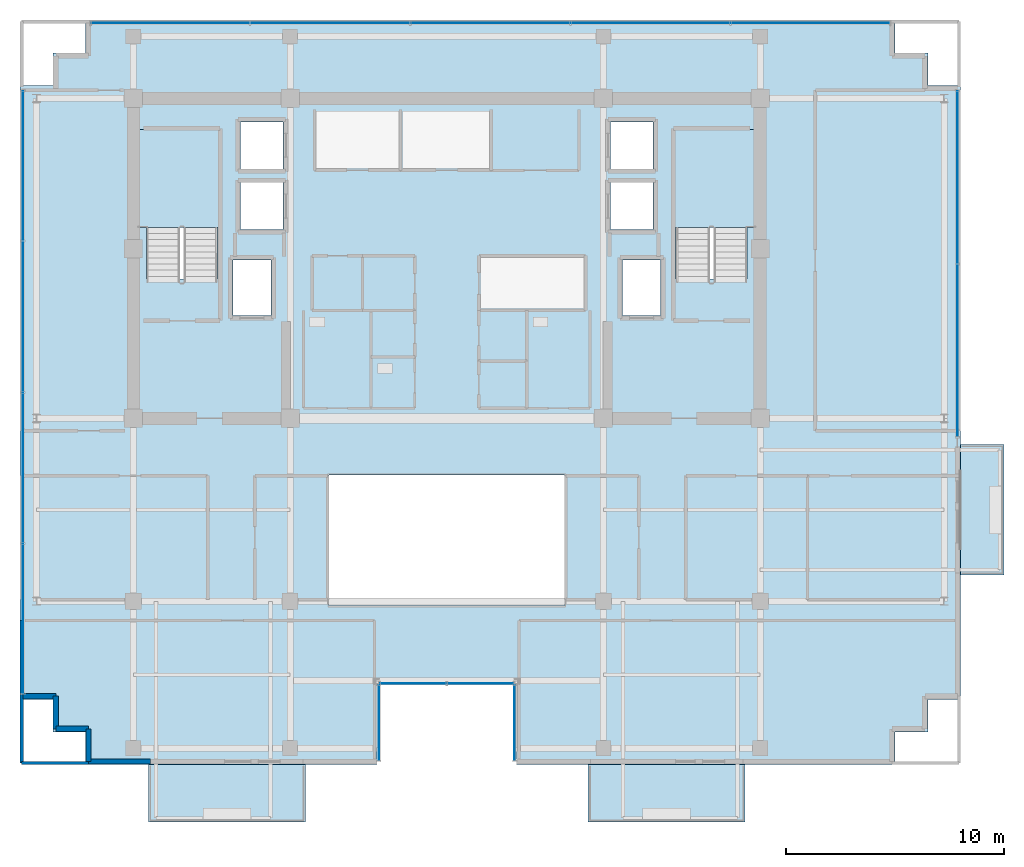
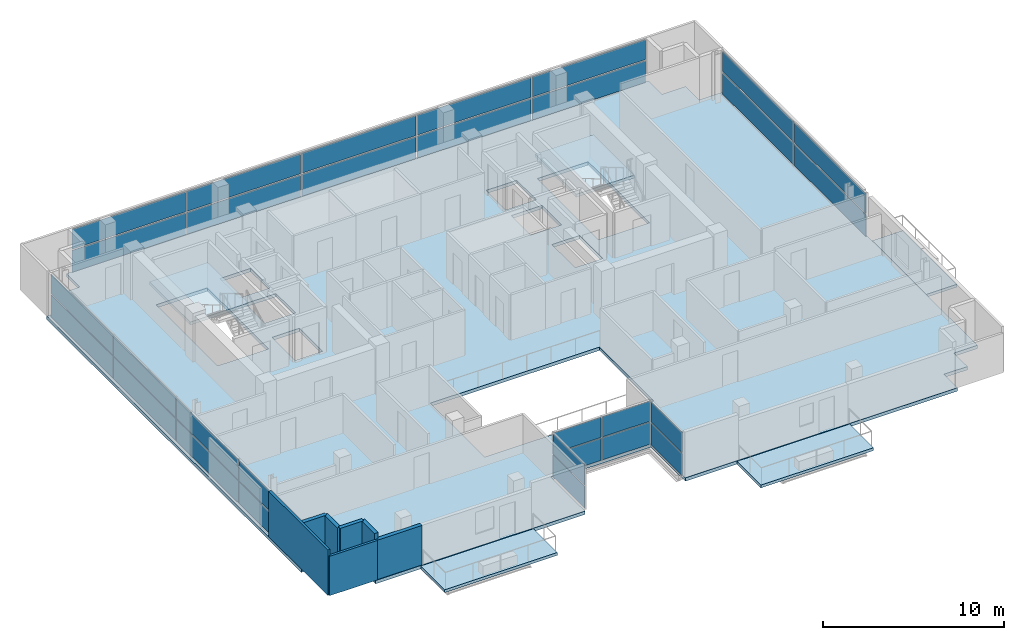
# One storey, part 14 of 22: 30 plates, 7 walls, 6 slabs, 8 elements without a shape of their own.
"""IFC4 building model written with IfcOpenShell, lengths in metres."""

from ifc_helpers import new_model, si_unit, direction, frame, frame_2d, origin, origin_2d, place, context, subcontext, project, spatial, polyline, rectangle, outline, extrude, source, transform, mapped, material, layer, layer_set, type_object, element, aggregate, save


model = new_model("IFC4")

# Units and contexts
model_context = context("Model", 3, precision=1e-05, world=origin(), true_north=direction((0.0, 1.0)))
body_context = subcontext(model_context, "Body", "Model", "MODEL_VIEW")
ifc_project = project(units=[si_unit("LENGTHUNIT", "METRE"), si_unit("AREAUNIT", "SQUARE_METRE"), si_unit("VOLUMEUNIT", "CUBIC_METRE"), si_unit("PLANEANGLEUNIT", "RADIAN"), si_unit("MASSUNIT", "GRAM", prefix="KILO")], contexts=[model_context])

# Site, building, storey
site_placement = place(None, origin())
site = spatial("IfcSite", under=ifc_project, at=site_placement, CompositionType="ELEMENT")
building_placement = place(site_placement, origin())
building = spatial("IfcBuilding", under=site, at=building_placement, Name="Zarnakvel Exchange Tower", CompositionType="ELEMENT")
storey_placement = place(building_placement, frame((0.0, 0.0, 245.199951171875)))
storey = spatial("IfcBuildingStorey", under=building, at=storey_placement, Name="L69", CompositionType="ELEMENT", Elevation=245.199951171875)

# Stair, slab
ifc_material_1 = material(Name="Concrete C40/50", Category="concrete")
stair_type = type_object("IfcStairType", Name="STR-01", PredefinedType="HALF_TURN_STAIR", material=ifc_material_1)
stair_1_placement = place(storey_placement, origin())
stair_1 = element("IfcStair", 1, at=stair_1_placement, inside=storey, type_object=stair_type, Name="L69 Protected Core Exit Stair ST-01", PredefinedType="HALF_TURN_STAIR")
ifc_layer_1 = layer(ifc_material_1, 0.199951171875)
ifc_layer_set_1 = layer_set([ifc_layer_1], Name="Concrete C40/50")
slab_type_1 = type_object("IfcSlabType", Name="LDG-01", PredefinedType="LANDING", material=ifc_layer_set_1)
slab_1_placement = place(storey_placement, frame((0.0, 0.0, 1.449951171875)))
slab_1 = element("IfcSlab", 2, at=slab_1_placement, type_object=slab_type_1, Name="ST-01 landing 1", PredefinedType="LANDING", context=body_context, shape_type="SweptSolid", body=[
    extrude(outline(polyline([(-14.18994140625, 7.570068359375), (-10.4599609375, 7.570068359375), (-10.4599609375, 12.080078125), (-14.18994140625, 12.080078125), (-14.18994140625, 7.570068359375)])), origin(), (0.0, 0.0, 1.0), 0.2001953125),
])
aggregate(stair_1, [slab_1])

stair_2_placement = place(storey_placement, origin())
stair_2 = element("IfcStair", 3, at=stair_2_placement, inside=storey, type_object=stair_type, Name="L69 Protected Core Exit Stair ST-02", PredefinedType="HALF_TURN_STAIR")
slab_2_placement = place(storey_placement, frame((0.0, 0.0, 1.449951171875)))
slab_2 = element("IfcSlab", 4, at=slab_2_placement, type_object=slab_type_1, Name="ST-02 landing 1", PredefinedType="LANDING", context=body_context, shape_type="SweptSolid", body=[
    extrude(outline(polyline([(10.4599609375, 7.570068359375), (14.18994140625, 7.570068359375), (14.18994140625, 12.080078125), (10.4599609375, 12.080078125), (10.4599609375, 7.570068359375)])), origin(), (0.0, 0.0, 1.0), 0.2001953125),
])
aggregate(stair_2, [slab_2])

# Slabs
ifc_layer_2 = layer(ifc_material_1, 0.22509765625)
ifc_layer_set_2 = layer_set([ifc_layer_2], Name="Concrete C40/50")
slab_type_2 = type_object("IfcSlabType", Name="SL-04", PredefinedType="FLOOR", material=ifc_layer_set_2)
slab_3_placement = place(storey_placement, frame((0.0, 0.0, -0.224853515625)))
element("IfcSlab", 5, at=slab_3_placement, inside=storey, type_object=slab_type_2, Name="L69 Primary Structural Floor Slab", PredefinedType="FLOOR", context=body_context, shape_type="SweptSolid", body=[
    extrude(outline(polyline([(-19.60009765625, -14.10009765625), (-18.10009765625, -14.10009765625), (-18.10009765625, -15.60009765625), (-16.60009765625, -15.60009765625), (-16.60009765625, -17.10009765625), (-3.199951171875, -17.10009765625), (-3.199951171875, -13.300048828125), (3.199951171875, -13.300048828125), (3.199951171875, -17.10009765625), (20.60009765625, -17.10009765625), (20.60009765625, -15.60009765625), (22.10009765625, -15.60009765625), (22.10009765625, -14.10009765625), (23.60009765625, -14.10009765625), (23.60009765625, 14.10009765625), (22.10009765625, 14.10009765625), (22.10009765625, 15.60009765625), (20.60009765625, 15.60009765625), (20.60009765625, 17.10009765625), (-16.60009765625, 17.10009765625), (-16.60009765625, 15.60009765625), (-18.10009765625, 15.60009765625), (-18.10009765625, 14.10009765625), (-19.60009765625, 14.10009765625), (-19.60009765625, -14.10009765625)]), holes=[polyline([(-5.39990234375, -9.800048828125), (5.39990234375, -9.800048828125), (5.39990234375, -3.800048828125), (-5.39990234375, -3.800048828125), (-5.39990234375, -9.800048828125)]), polyline([(-13.800048828125, 5.2099609375), (-10.5400390625, 5.2099609375), (-10.5400390625, 12.0), (-13.800048828125, 12.0), (-13.800048828125, 5.2099609375)]), polyline([(10.5400390625, 5.2099609375), (13.800048828125, 5.2099609375), (13.800048828125, 12.0), (10.5400390625, 12.0), (10.5400390625, 5.2099609375)]), polyline([(-9.830078125, 3.52001953125), (-8.070068359375, 3.52001953125), (-8.070068359375, 6.080078125), (-9.830078125, 6.080078125), (-9.830078125, 3.52001953125)]), polyline([(8.070068359375, 3.52001953125), (9.830078125, 3.52001953125), (9.830078125, 6.080078125), (8.070068359375, 6.080078125), (8.070068359375, 3.52001953125)]), polyline([(-9.47998046875, 7.469970703125), (-7.52001953125, 7.469970703125), (-7.52001953125, 9.6298828125), (-9.47998046875, 9.6298828125), (-9.47998046875, 7.469970703125)]), polyline([(-9.47998046875, 10.27001953125), (-7.52001953125, 10.27001953125), (-7.52001953125, 12.429931640625), (-9.47998046875, 12.429931640625), (-9.47998046875, 10.27001953125)]), polyline([(7.52001953125, 7.469970703125), (9.47998046875, 7.469970703125), (9.47998046875, 9.6298828125), (7.52001953125, 9.6298828125), (7.52001953125, 7.469970703125)]), polyline([(7.52001953125, 10.27001953125), (9.47998046875, 10.27001953125), (9.47998046875, 12.429931640625), (7.52001953125, 12.429931640625), (7.52001953125, 10.27001953125)])]), origin(), (0.0, 0.0, 1.0), 0.224853515625),
])
ifc_layer_3 = layer(ifc_material_1, 0.18994140625)
ifc_layer_set_3 = layer_set([ifc_layer_3], Name="Concrete C40/50")
slab_type_3 = type_object("IfcSlabType", Name="SL-08", PredefinedType="USERDEFINED", material=ifc_layer_set_3)
slab_4_placement = place(storey_placement, frame((0.0, 0.0, -0.224853515625)))
element("IfcSlab", 6, at=slab_4_placement, inside=storey, type_object=slab_type_3, Name="L69 Planted Loggia Balcony Slab BAL-L69-SW", ObjectType="BALCONY", PredefinedType="USERDEFINED", context=body_context, shape_type="SweptSolid", body=[
    extrude(outline(polyline([(-13.699951171875, -19.75), (-6.5, -19.75), (-6.5, -17.10009765625), (-13.699951171875, -17.10009765625), (-13.699951171875, -19.75)])), origin(), (0.0, 0.0, 1.0), 0.18994140625),
])
slab_5_placement = place(storey_placement, frame((0.0, 0.0, -0.224853515625)))
element("IfcSlab", 7, at=slab_5_placement, inside=storey, type_object=slab_type_3, Name="L69 Planted Loggia Balcony Slab BAL-L69-SE", ObjectType="BALCONY", PredefinedType="USERDEFINED", context=body_context, shape_type="SweptSolid", body=[
    extrude(outline(polyline([(6.5, -19.75), (13.699951171875, -19.75), (13.699951171875, -17.10009765625), (6.5, -17.10009765625), (6.5, -19.75)])), origin(), (0.0, 0.0, 1.0), 0.18994140625),
])
slab_6_placement = place(storey_placement, frame((0.0, 0.0, -0.224853515625)))
element("IfcSlab", 8, at=slab_6_placement, inside=storey, type_object=slab_type_3, Name="L69 Planted Loggia Balcony Slab BAL-L69-E", ObjectType="BALCONY", PredefinedType="USERDEFINED", context=body_context, shape_type="SweptSolid", body=[
    extrude(outline(polyline([(23.60009765625, -8.39990234375), (25.60009765625, -8.39990234375), (25.60009765625, -2.39990234375), (23.60009765625, -2.39990234375), (23.60009765625, -8.39990234375)])), origin(), (0.0, 0.0, 1.0), 0.18994140625),
])

# Curtain wall, plate
ifc_material_2 = material(Name="Architectural Bronze Anodised Aluminium", Category="aluminium")
ifc_layer_4 = layer(ifc_material_2, 0.179931640625)
ifc_layer_set_4 = layer_set([ifc_layer_4], Name="Architectural Bronze Anodised Aluminium")
curtain_wall_type_1 = type_object("IfcCurtainWallType", Name="CW-05", PredefinedType="NOTDEFINED", material=ifc_layer_set_4)
curtain_wall_1_placement = place(storey_placement, origin())
curtain_wall_1 = element("IfcCurtainWall", 9, at=curtain_wall_1_placement, inside=storey, type_object=curtain_wall_type_1, Name="L69 Curtain Wall CW-L69-SLW (CW-05)", PredefinedType="NOTDEFINED")
ifc_material_3 = material(Name="Double Low-E Laminated Vision Glass", Category="glass")
ifc_layer_5 = layer(ifc_material_3, 0.02587890625)
ifc_layer_set_5 = layer_set([ifc_layer_5], Name="Double Low-E Laminated Vision Glass")
plate_type_1 = type_object("IfcPlateType", Name="CWP-05", PredefinedType="CURTAIN_PANEL", material=ifc_layer_set_5)
shared_shape_1 = source(origin(), body_context, "Body", "SweptSolid", [
    extrude(rectangle(XDim=3.4599609375, YDim=0.02587890625, at=origin_2d()), origin(), (0.0, 0.0, 1.0), 1.483642578125),
])
plate_1_placement = place(storey_placement, frame((-3.1201171875, -15.179931640625, 0.06982421875), z_axis=(0.0, 0.0, 1.0), x_axis=(0.0, 1.0, 0.0)))
plate_1 = element("IfcPlate", 10, at=plate_1_placement, type_object=plate_type_1, Name="CW-05 panel 1.1", PredefinedType="CURTAIN_PANEL", context=body_context, shape_type="MappedRepresentation", body=[
    mapped(shared_shape_1, transform((0.0, 0.0, 0.0), x_axis=(1.0, 0.0, 0.0), y_axis=(0.0, 1.0, 0.0), z_axis=(0.0, 0.0, 1.0), scale=1.0)),
])

curtain_wall_2_placement = place(storey_placement, origin())
curtain_wall_2 = element("IfcCurtainWall", 11, at=curtain_wall_2_placement, inside=storey, type_object=curtain_wall_type_1, Name="L69 Curtain Wall CW-L69-SLE (CW-05)", PredefinedType="NOTDEFINED")
plate_2_placement = place(storey_placement, frame((3.1201171875, -15.179931640625, 0.06982421875), z_axis=(0.0, 0.0, 1.0), x_axis=(0.0, -1.0, 0.0)))
plate_2 = element("IfcPlate", 12, at=plate_2_placement, type_object=plate_type_1, Name="CW-05 panel 1.1", PredefinedType="CURTAIN_PANEL", context=body_context, shape_type="MappedRepresentation", body=[
    mapped(shared_shape_1, transform((0.0, 0.0, 0.0), x_axis=(1.0, 0.0, 0.0), y_axis=(0.0, 1.0, 0.0), z_axis=(0.0, 0.0, 1.0), scale=1.0)),
])

# Plate
shared_shape_2 = source(origin(), body_context, "Body", "SweptSolid", [
    extrude(rectangle(XDim=3.4599609375, YDim=0.02587890625, at=origin_2d()), origin(), (0.0, 0.0, 1.0), 1.361328125),
])
plate_3_placement = place(storey_placement, frame((-3.1201171875, -15.179931640625, 1.623779296875), z_axis=(0.0, 0.0, 1.0), x_axis=(0.0, 1.0, 0.0)))
plate_3 = element("IfcPlate", 13, at=plate_3_placement, type_object=plate_type_1, Name="CW-05 panel 1.2", PredefinedType="CURTAIN_PANEL", context=body_context, shape_type="MappedRepresentation", body=[
    mapped(shared_shape_2, transform((0.0, 0.0, 0.0), x_axis=(1.0, 0.0, 0.0), y_axis=(0.0, 1.0, 0.0), z_axis=(0.0, 0.0, 1.0), scale=1.0)),
])

aggregate(curtain_wall_1, [plate_1, plate_3])

plate_4_placement = place(storey_placement, frame((3.1201171875, -15.179931640625, 1.623779296875), z_axis=(0.0, 0.0, 1.0), x_axis=(0.0, -1.0, 0.0)))
plate_4 = element("IfcPlate", 14, at=plate_4_placement, type_object=plate_type_1, Name="CW-05 panel 1.2", PredefinedType="CURTAIN_PANEL", context=body_context, shape_type="MappedRepresentation", body=[
    mapped(shared_shape_2, transform((0.0, 0.0, 0.0), x_axis=(1.0, 0.0, 0.0), y_axis=(0.0, 1.0, 0.0), z_axis=(0.0, 0.0, 1.0), scale=1.0)),
])

aggregate(curtain_wall_2, [plate_2, plate_4])

# Curtain wall, plates
curtain_wall_3_placement = place(storey_placement, origin())
curtain_wall_3 = element("IfcCurtainWall", 15, at=curtain_wall_3_placement, inside=storey, type_object=curtain_wall_type_1, Name="L69 Curtain Wall CW-L69-SLB (CW-05)", PredefinedType="NOTDEFINED")
shared_shape_3 = source(origin(), body_context, "Body", "SweptSolid", [
    extrude(rectangle(XDim=3.014892578125, YDim=0.02587890625, at=origin_2d()), origin(), (0.0, 0.0, 1.0), 1.483642578125),
])
plate_5_placement = place(storey_placement, frame((-1.54248046875, -13.3798828125, 0.06982421875), z_axis=(0.0, 0.0, 1.0), x_axis=(1.0, 0.0, 0.0)))
plate_5 = element("IfcPlate", 16, at=plate_5_placement, type_object=plate_type_1, Name="CW-05 panel 1.1", PredefinedType="CURTAIN_PANEL", context=body_context, shape_type="MappedRepresentation", body=[
    mapped(shared_shape_3, transform((0.0, 0.0, 0.0), x_axis=(1.0, 0.0, 0.0), y_axis=(0.0, 1.0, 0.0), z_axis=(0.0, 0.0, 1.0), scale=1.0)),
])
plate_6_placement = place(storey_placement, frame((1.54248046875, -13.3798828125, 0.06982421875), z_axis=(0.0, 0.0, 1.0), x_axis=(1.0, 0.0, 0.0)))
plate_6 = element("IfcPlate", 17, at=plate_6_placement, type_object=plate_type_1, Name="CW-05 panel 2.1", PredefinedType="CURTAIN_PANEL", context=body_context, shape_type="MappedRepresentation", body=[
    mapped(shared_shape_3, transform((0.0, 0.0, 0.0), x_axis=(1.0, 0.0, 0.0), y_axis=(0.0, 1.0, 0.0), z_axis=(0.0, 0.0, 1.0), scale=1.0)),
])
shared_shape_4 = source(origin(), body_context, "Body", "SweptSolid", [
    extrude(rectangle(XDim=3.014892578125, YDim=0.02587890625, at=origin_2d()), origin(), (0.0, 0.0, 1.0), 1.361328125),
])
plate_7_placement = place(storey_placement, frame((-1.54248046875, -13.3798828125, 1.623779296875), z_axis=(0.0, 0.0, 1.0), x_axis=(1.0, 0.0, 0.0)))
plate_7 = element("IfcPlate", 18, at=plate_7_placement, type_object=plate_type_1, Name="CW-05 panel 1.2", PredefinedType="CURTAIN_PANEL", context=body_context, shape_type="MappedRepresentation", body=[
    mapped(shared_shape_4, transform((0.0, 0.0, 0.0), x_axis=(1.0, 0.0, 0.0), y_axis=(0.0, 1.0, 0.0), z_axis=(0.0, 0.0, 1.0), scale=1.0)),
])
plate_8_placement = place(storey_placement, frame((1.54248046875, -13.3798828125, 1.623779296875), z_axis=(0.0, 0.0, 1.0), x_axis=(1.0, 0.0, 0.0)))
plate_8 = element("IfcPlate", 19, at=plate_8_placement, type_object=plate_type_1, Name="CW-05 panel 2.2", PredefinedType="CURTAIN_PANEL", context=body_context, shape_type="MappedRepresentation", body=[
    mapped(shared_shape_4, transform((0.0, 0.0, 0.0), x_axis=(1.0, 0.0, 0.0), y_axis=(0.0, 1.0, 0.0), z_axis=(0.0, 0.0, 1.0), scale=1.0)),
])
aggregate(curtain_wall_3, [plate_5, plate_7, plate_6, plate_8])

ifc_layer_6 = layer(ifc_material_2, 0.199951171875)
ifc_layer_set_6 = layer_set([ifc_layer_6], Name="Architectural Bronze Anodised Aluminium")
curtain_wall_type_2 = type_object("IfcCurtainWallType", Name="CW-04", PredefinedType="NOTDEFINED", material=ifc_layer_set_6)
curtain_wall_4_placement = place(storey_placement, origin())
curtain_wall_4 = element("IfcCurtainWall", 20, at=curtain_wall_4_placement, inside=storey, type_object=curtain_wall_type_2, Name="L69 Curtain Wall CW-L69-W1 (CW-04)", PredefinedType="NOTDEFINED")
ifc_layer_7 = layer(ifc_material_3, 0.028076171875)
ifc_layer_set_7 = layer_set([ifc_layer_7], Name="Double Low-E Laminated Vision Glass")
plate_type_2 = type_object("IfcPlateType", Name="CWP-04", PredefinedType="CURTAIN_PANEL", material=ifc_layer_set_7)
shared_shape_5 = source(origin(), body_context, "Body", "SweptSolid", [
    extrude(rectangle(XDim=6.83740234375, YDim=0.028076171875, at=origin_2d()), origin(), (0.0, 0.0, 1.0), 1.47607421875),
])
plate_9_placement = place(storey_placement, frame((-19.4599609375, -10.40625, 0.074951171875), z_axis=(0.0, 0.0, 1.0), x_axis=(0.0, 1.0, 0.0)))
plate_9 = element("IfcPlate", 21, at=plate_9_placement, type_object=plate_type_2, Name="CW-04 panel 1.1", PredefinedType="CURTAIN_PANEL", context=body_context, shape_type="MappedRepresentation", body=[
    mapped(shared_shape_5, transform((0.0, 0.0, 0.0), x_axis=(1.0, 0.0, 0.0), y_axis=(0.0, 1.0, 0.0), z_axis=(0.0, 0.0, 1.0), scale=1.0)),
])
plate_10_placement = place(storey_placement, frame((-19.4599609375, 10.40625, 0.074951171875), z_axis=(0.0, 0.0, 1.0), x_axis=(0.0, 1.0, 0.0)))
plate_10 = element("IfcPlate", 22, at=plate_10_placement, type_object=plate_type_2, Name="CW-04 panel 4.1", PredefinedType="CURTAIN_PANEL", context=body_context, shape_type="MappedRepresentation", body=[
    mapped(shared_shape_5, transform((0.0, 0.0, 0.0), x_axis=(1.0, 0.0, 0.0), y_axis=(0.0, 1.0, 0.0), z_axis=(0.0, 0.0, 1.0), scale=1.0)),
])
shared_shape_6 = source(origin(), body_context, "Body", "SweptSolid", [
    extrude(rectangle(XDim=6.83740234375, YDim=0.028076171875, at=origin_2d()), origin(), (0.0, 0.0, 1.0), 1.35400390625),
])
plate_11_placement = place(storey_placement, frame((-19.4599609375, -10.40625, 1.6259765625), z_axis=(0.0, 0.0, 1.0), x_axis=(0.0, 1.0, 0.0)))
plate_11 = element("IfcPlate", 23, at=plate_11_placement, type_object=plate_type_2, Name="CW-04 panel 1.2", PredefinedType="CURTAIN_PANEL", context=body_context, shape_type="MappedRepresentation", body=[
    mapped(shared_shape_6, transform((0.0, 0.0, 0.0), x_axis=(1.0, 0.0, 0.0), y_axis=(0.0, 1.0, 0.0), z_axis=(0.0, 0.0, 1.0), scale=1.0)),
])
plate_12_placement = place(storey_placement, frame((-19.4599609375, 10.40625, 1.6259765625), z_axis=(0.0, 0.0, 1.0), x_axis=(0.0, 1.0, 0.0)))
plate_12 = element("IfcPlate", 24, at=plate_12_placement, type_object=plate_type_2, Name="CW-04 panel 4.2", PredefinedType="CURTAIN_PANEL", context=body_context, shape_type="MappedRepresentation", body=[
    mapped(shared_shape_6, transform((0.0, 0.0, 0.0), x_axis=(1.0, 0.0, 0.0), y_axis=(0.0, 1.0, 0.0), z_axis=(0.0, 0.0, 1.0), scale=1.0)),
])
shared_shape_7 = source(origin(), body_context, "Body", "SweptSolid", [
    extrude(rectangle(XDim=6.875, YDim=0.028076171875, at=origin_2d()), origin(), (0.0, 0.0, 1.0), 1.47607421875),
])
plate_13_placement = place(storey_placement, frame((-19.4599609375, -3.47509765625, 0.074951171875), z_axis=(0.0, 0.0, 1.0), x_axis=(0.0, 1.0, 0.0)))
plate_13 = element("IfcPlate", 25, at=plate_13_placement, type_object=plate_type_2, Name="CW-04 panel 2.1", PredefinedType="CURTAIN_PANEL", context=body_context, shape_type="MappedRepresentation", body=[
    mapped(shared_shape_7, transform((0.0, 0.0, 0.0), x_axis=(1.0, 0.0, 0.0), y_axis=(0.0, 1.0, 0.0), z_axis=(0.0, 0.0, 1.0), scale=1.0)),
])
plate_14_placement = place(storey_placement, frame((-19.4599609375, 3.47509765625, 0.074951171875), z_axis=(0.0, 0.0, 1.0), x_axis=(0.0, 1.0, 0.0)))
plate_14 = element("IfcPlate", 26, at=plate_14_placement, type_object=plate_type_2, Name="CW-04 panel 3.1", PredefinedType="CURTAIN_PANEL", context=body_context, shape_type="MappedRepresentation", body=[
    mapped(shared_shape_7, transform((0.0, 0.0, 0.0), x_axis=(1.0, 0.0, 0.0), y_axis=(0.0, 1.0, 0.0), z_axis=(0.0, 0.0, 1.0), scale=1.0)),
])
shared_shape_8 = source(origin(), body_context, "Body", "SweptSolid", [
    extrude(rectangle(XDim=6.875, YDim=0.028076171875, at=origin_2d()), origin(), (0.0, 0.0, 1.0), 1.35400390625),
])
plate_15_placement = place(storey_placement, frame((-19.4599609375, -3.47509765625, 1.6259765625), z_axis=(0.0, 0.0, 1.0), x_axis=(0.0, 1.0, 0.0)))
plate_15 = element("IfcPlate", 27, at=plate_15_placement, type_object=plate_type_2, Name="CW-04 panel 2.2", PredefinedType="CURTAIN_PANEL", context=body_context, shape_type="MappedRepresentation", body=[
    mapped(shared_shape_8, transform((0.0, 0.0, 0.0), x_axis=(1.0, 0.0, 0.0), y_axis=(0.0, 1.0, 0.0), z_axis=(0.0, 0.0, 1.0), scale=1.0)),
])
plate_16_placement = place(storey_placement, frame((-19.4599609375, 3.47509765625, 1.6259765625), z_axis=(0.0, 0.0, 1.0), x_axis=(0.0, 1.0, 0.0)))
plate_16 = element("IfcPlate", 28, at=plate_16_placement, type_object=plate_type_2, Name="CW-04 panel 3.2", PredefinedType="CURTAIN_PANEL", context=body_context, shape_type="MappedRepresentation", body=[
    mapped(shared_shape_8, transform((0.0, 0.0, 0.0), x_axis=(1.0, 0.0, 0.0), y_axis=(0.0, 1.0, 0.0), z_axis=(0.0, 0.0, 1.0), scale=1.0)),
])
aggregate(curtain_wall_4, [plate_9, plate_11, plate_13, plate_15, plate_14, plate_16, plate_10, plate_12])

curtain_wall_5_placement = place(storey_placement, origin())
curtain_wall_5 = element("IfcCurtainWall", 29, at=curtain_wall_5_placement, inside=storey, type_object=curtain_wall_type_2, Name="L69 Curtain Wall CW-L69-EN (CW-04)", PredefinedType="NOTDEFINED")
shared_shape_9 = source(origin(), body_context, "Body", "SweptSolid", [
    extrude(rectangle(XDim=7.887451171875, YDim=0.028076171875, at=origin_2d()), origin(), (0.0, 0.0, 1.0), 1.47607421875),
])
plate_17_placement = place(storey_placement, frame((23.4599609375, 1.918701171875, 0.074951171875), z_axis=(0.0, 0.0, 1.0), x_axis=(0.0, 1.0, 0.0)))
plate_17 = element("IfcPlate", 30, at=plate_17_placement, type_object=plate_type_2, Name="CW-04 panel 1.1", PredefinedType="CURTAIN_PANEL", context=body_context, shape_type="MappedRepresentation", body=[
    mapped(shared_shape_9, transform((0.0, 0.0, 0.0), x_axis=(1.0, 0.0, 0.0), y_axis=(0.0, 1.0, 0.0), z_axis=(0.0, 0.0, 1.0), scale=1.0)),
])
plate_18_placement = place(storey_placement, frame((23.4599609375, 9.88134765625, 0.074951171875), z_axis=(0.0, 0.0, 1.0), x_axis=(0.0, 1.0, 0.0)))
plate_18 = element("IfcPlate", 31, at=plate_18_placement, type_object=plate_type_2, Name="CW-04 panel 2.1", PredefinedType="CURTAIN_PANEL", context=body_context, shape_type="MappedRepresentation", body=[
    mapped(shared_shape_9, transform((0.0, 0.0, 0.0), x_axis=(1.0, 0.0, 0.0), y_axis=(0.0, 1.0, 0.0), z_axis=(0.0, 0.0, 1.0), scale=1.0)),
])
shared_shape_10 = source(origin(), body_context, "Body", "SweptSolid", [
    extrude(rectangle(XDim=7.887451171875, YDim=0.028076171875, at=origin_2d()), origin(), (0.0, 0.0, 1.0), 1.35400390625),
])
plate_19_placement = place(storey_placement, frame((23.4599609375, 1.918701171875, 1.6259765625), z_axis=(0.0, 0.0, 1.0), x_axis=(0.0, 1.0, 0.0)))
plate_19 = element("IfcPlate", 32, at=plate_19_placement, type_object=plate_type_2, Name="CW-04 panel 1.2", PredefinedType="CURTAIN_PANEL", context=body_context, shape_type="MappedRepresentation", body=[
    mapped(shared_shape_10, transform((0.0, 0.0, 0.0), x_axis=(1.0, 0.0, 0.0), y_axis=(0.0, 1.0, 0.0), z_axis=(0.0, 0.0, 1.0), scale=1.0)),
])
plate_20_placement = place(storey_placement, frame((23.4599609375, 9.88134765625, 1.6259765625), z_axis=(0.0, 0.0, 1.0), x_axis=(0.0, 1.0, 0.0)))
plate_20 = element("IfcPlate", 33, at=plate_20_placement, type_object=plate_type_2, Name="CW-04 panel 2.2", PredefinedType="CURTAIN_PANEL", context=body_context, shape_type="MappedRepresentation", body=[
    mapped(shared_shape_10, transform((0.0, 0.0, 0.0), x_axis=(1.0, 0.0, 0.0), y_axis=(0.0, 1.0, 0.0), z_axis=(0.0, 0.0, 1.0), scale=1.0)),
])
aggregate(curtain_wall_5, [plate_17, plate_19, plate_18, plate_20])

ifc_layer_8 = layer(ifc_material_2, 0.219970703125)
ifc_layer_set_8 = layer_set([ifc_layer_8], Name="Architectural Bronze Anodised Aluminium")
curtain_wall_type_3 = type_object("IfcCurtainWallType", Name="CW-03", PredefinedType="NOTDEFINED", material=ifc_layer_set_8)
curtain_wall_6_placement = place(storey_placement, origin())
curtain_wall_6 = element("IfcCurtainWall", 34, at=curtain_wall_6_placement, inside=storey, type_object=curtain_wall_type_3, Name="L69 Curtain Wall CW-L69-N1 (CW-03)", PredefinedType="NOTDEFINED")
ifc_layer_9 = layer(ifc_material_3, 0.030029296875)
ifc_layer_set_9 = layer_set([ifc_layer_9], Name="Double Low-E Laminated Vision Glass")
plate_type_3 = type_object("IfcPlateType", Name="CWP-03", PredefinedType="CURTAIN_PANEL", material=ifc_layer_set_9)
shared_shape_11 = source(origin(), body_context, "Body", "SweptSolid", [
    extrude(rectangle(XDim=7.239990234375, YDim=0.030029296875, at=origin_2d()), origin(), (0.0, 0.0, 1.0), 1.468505859375),
])
plate_21_placement = place(storey_placement, frame((-12.699951171875, 16.9599609375, 0.080078125), z_axis=(0.0, 0.0, 1.0), x_axis=(1.0, 0.0, 0.0)))
plate_21 = element("IfcPlate", 35, at=plate_21_placement, type_object=plate_type_3, Name="CW-03 panel 1.1", PredefinedType="CURTAIN_PANEL", context=body_context, shape_type="MappedRepresentation", body=[
    mapped(shared_shape_11, transform((0.0, 0.0, 0.0), x_axis=(1.0, 0.0, 0.0), y_axis=(0.0, 1.0, 0.0), z_axis=(0.0, 0.0, 1.0), scale=1.0)),
])
plate_22_placement = place(storey_placement, frame((16.699951171875, 16.9599609375, 0.080078125), z_axis=(0.0, 0.0, 1.0), x_axis=(1.0, 0.0, 0.0)))
plate_22 = element("IfcPlate", 36, at=plate_22_placement, type_object=plate_type_3, Name="CW-03 panel 5.1", PredefinedType="CURTAIN_PANEL", context=body_context, shape_type="MappedRepresentation", body=[
    mapped(shared_shape_11, transform((0.0, 0.0, 0.0), x_axis=(1.0, 0.0, 0.0), y_axis=(0.0, 1.0, 0.0), z_axis=(0.0, 0.0, 1.0), scale=1.0)),
])
shared_shape_12 = source(origin(), body_context, "Body", "SweptSolid", [
    extrude(rectangle(XDim=7.239990234375, YDim=0.030029296875, at=origin_2d()), origin(), (0.0, 0.0, 1.0), 1.346435546875),
])
plate_23_placement = place(storey_placement, frame((-12.699951171875, 16.9599609375, 1.62841796875), z_axis=(0.0, 0.0, 1.0), x_axis=(1.0, 0.0, 0.0)))
plate_23 = element("IfcPlate", 37, at=plate_23_placement, type_object=plate_type_3, Name="CW-03 panel 1.2", PredefinedType="CURTAIN_PANEL", context=body_context, shape_type="MappedRepresentation", body=[
    mapped(shared_shape_12, transform((0.0, 0.0, 0.0), x_axis=(1.0, 0.0, 0.0), y_axis=(0.0, 1.0, 0.0), z_axis=(0.0, 0.0, 1.0), scale=1.0)),
])
plate_24_placement = place(storey_placement, frame((16.699951171875, 16.9599609375, 1.62841796875), z_axis=(0.0, 0.0, 1.0), x_axis=(1.0, 0.0, 0.0)))
plate_24 = element("IfcPlate", 38, at=plate_24_placement, type_object=plate_type_3, Name="CW-03 panel 5.2", PredefinedType="CURTAIN_PANEL", context=body_context, shape_type="MappedRepresentation", body=[
    mapped(shared_shape_12, transform((0.0, 0.0, 0.0), x_axis=(1.0, 0.0, 0.0), y_axis=(0.0, 1.0, 0.0), z_axis=(0.0, 0.0, 1.0), scale=1.0)),
])
shared_shape_13 = source(origin(), body_context, "Body", "SweptSolid", [
    extrude(rectangle(XDim=7.280029296875, YDim=0.030029296875, at=origin_2d()), origin(), (0.0, 0.0, 1.0), 1.468505859375),
])
plate_25_placement = place(storey_placement, frame((-5.360107421875, 16.9599609375, 0.080078125), z_axis=(0.0, 0.0, 1.0), x_axis=(1.0, 0.0, 0.0)))
plate_25 = element("IfcPlate", 39, at=plate_25_placement, type_object=plate_type_3, Name="CW-03 panel 2.1", PredefinedType="CURTAIN_PANEL", context=body_context, shape_type="MappedRepresentation", body=[
    mapped(shared_shape_13, transform((0.0, 0.0, 0.0), x_axis=(1.0, 0.0, 0.0), y_axis=(0.0, 1.0, 0.0), z_axis=(0.0, 0.0, 1.0), scale=1.0)),
])
plate_26_placement = place(storey_placement, frame((2.0, 16.9599609375, 0.080078125), z_axis=(0.0, 0.0, 1.0), x_axis=(1.0, 0.0, 0.0)))
plate_26 = element("IfcPlate", 40, at=plate_26_placement, type_object=plate_type_3, Name="CW-03 panel 3.1", PredefinedType="CURTAIN_PANEL", context=body_context, shape_type="MappedRepresentation", body=[
    mapped(shared_shape_13, transform((0.0, 0.0, 0.0), x_axis=(1.0, 0.0, 0.0), y_axis=(0.0, 1.0, 0.0), z_axis=(0.0, 0.0, 1.0), scale=1.0)),
])
plate_27_placement = place(storey_placement, frame((9.360107421875, 16.9599609375, 0.080078125), z_axis=(0.0, 0.0, 1.0), x_axis=(1.0, 0.0, 0.0)))
plate_27 = element("IfcPlate", 41, at=plate_27_placement, type_object=plate_type_3, Name="CW-03 panel 4.1", PredefinedType="CURTAIN_PANEL", context=body_context, shape_type="MappedRepresentation", body=[
    mapped(shared_shape_13, transform((0.0, 0.0, 0.0), x_axis=(1.0, 0.0, 0.0), y_axis=(0.0, 1.0, 0.0), z_axis=(0.0, 0.0, 1.0), scale=1.0)),
])
shared_shape_14 = source(origin(), body_context, "Body", "SweptSolid", [
    extrude(rectangle(XDim=7.280029296875, YDim=0.030029296875, at=origin_2d()), origin(), (0.0, 0.0, 1.0), 1.346435546875),
])
plate_28_placement = place(storey_placement, frame((-5.360107421875, 16.9599609375, 1.62841796875), z_axis=(0.0, 0.0, 1.0), x_axis=(1.0, 0.0, 0.0)))
plate_28 = element("IfcPlate", 42, at=plate_28_placement, type_object=plate_type_3, Name="CW-03 panel 2.2", PredefinedType="CURTAIN_PANEL", context=body_context, shape_type="MappedRepresentation", body=[
    mapped(shared_shape_14, transform((0.0, 0.0, 0.0), x_axis=(1.0, 0.0, 0.0), y_axis=(0.0, 1.0, 0.0), z_axis=(0.0, 0.0, 1.0), scale=1.0)),
])
plate_29_placement = place(storey_placement, frame((2.0, 16.9599609375, 1.62841796875), z_axis=(0.0, 0.0, 1.0), x_axis=(1.0, 0.0, 0.0)))
plate_29 = element("IfcPlate", 43, at=plate_29_placement, type_object=plate_type_3, Name="CW-03 panel 3.2", PredefinedType="CURTAIN_PANEL", context=body_context, shape_type="MappedRepresentation", body=[
    mapped(shared_shape_14, transform((0.0, 0.0, 0.0), x_axis=(1.0, 0.0, 0.0), y_axis=(0.0, 1.0, 0.0), z_axis=(0.0, 0.0, 1.0), scale=1.0)),
])
plate_30_placement = place(storey_placement, frame((9.360107421875, 16.9599609375, 1.62841796875), z_axis=(0.0, 0.0, 1.0), x_axis=(1.0, 0.0, 0.0)))
plate_30 = element("IfcPlate", 44, at=plate_30_placement, type_object=plate_type_3, Name="CW-03 panel 4.2", PredefinedType="CURTAIN_PANEL", context=body_context, shape_type="MappedRepresentation", body=[
    mapped(shared_shape_14, transform((0.0, 0.0, 0.0), x_axis=(1.0, 0.0, 0.0), y_axis=(0.0, 1.0, 0.0), z_axis=(0.0, 0.0, 1.0), scale=1.0)),
])
aggregate(curtain_wall_6, [plate_21, plate_23, plate_25, plate_28, plate_26, plate_29, plate_27, plate_30, plate_22, plate_24])

# Walls
ifc_material_4 = material(Name="Precast concrete C40/50", Category="concrete")
ifc_layer_10 = layer(ifc_material_4, 0.239990234375)
ifc_layer_set_10 = layer_set([ifc_layer_10], Name="Precast concrete C40/50")
wall_type_1 = type_object("IfcWallType", Name="EW-02", PredefinedType="SOLIDWALL", material=ifc_layer_set_10)
wall_1_placement = place(storey_placement, frame((-16.4599609375, -16.9599609375, 0.0), z_axis=(0.0, 0.0, 1.0), x_axis=(1.0, 0.0, 0.0)))
element("IfcWall", 45, at=wall_1_placement, inside=storey, type_object=wall_type_1, Name="L69 Exterior Precast Spandrel Wall EWC-L69-22 (EW-02)", PredefinedType="SOLIDWALL", context=body_context, shape_type="SweptSolid", body=[
    extrude(rectangle(XDim=2.85986328125, YDim=0.239990234375, at=frame_2d((1.429931640625, 0.0))), origin(), (0.0, 0.0, 1.0), 2.6650390625),
])
for number, where, z_axis, x_axis, name in (
    (46, (-16.4599609375, -15.4599609375, 0.0), (0.0, 0.0, 1.0), (0.0, -1.0, 0.0), "L69 Exterior Precast Spandrel Wall EWC-L69-23 (EW-02)"),
    (47, (-17.9599609375, -15.4599609375, 0.0), (0.0, 0.0, 1.0), (1.0, 0.0, 0.0), "L69 Exterior Precast Spandrel Wall EWC-L69-24 (EW-02)"),
    (48, (-17.9599609375, -13.9599609375, 0.0), (0.0, 0.0, 1.0), (0.0, -1.0, 0.0), "L69 Exterior Precast Spandrel Wall EWC-L69-25 (EW-02)"),
    (49, (-19.4599609375, -13.9599609375, 0.0), (0.0, 0.0, 1.0), (1.0, 0.0, 0.0), "L69 Exterior Precast Spandrel Wall EWC-L69-26 (EW-02)"),
):
    element("IfcWall", number, at=place(storey_placement, frame(where, z_axis=z_axis, x_axis=x_axis)), inside=storey, type_object=wall_type_1, Name=name, PredefinedType="SOLIDWALL", context=body_context, shape_type="SweptSolid", body=[
        extrude(rectangle(XDim=1.5, YDim=0.239990234375, at=frame_2d((0.75, 0.0))), origin(), (0.0, 0.0, 1.0), 3.074951171875),
    ])
ifc_material_5 = material(Name="Fire-Rated Gypsum Stud Partition", Category="gypsum")
ifc_layer_11 = layer(ifc_material_5, 0.14990234375)
ifc_layer_set_11 = layer_set([ifc_layer_11], Name="Fire-Rated Gypsum Stud Partition")
wall_type_2 = type_object("IfcWallType", Name="PT-01", PredefinedType="PARTITIONING", material=ifc_layer_set_11)
wall_2_placement = place(storey_placement, frame((-16.4599609375, -17.030029296875, 0.0), z_axis=(0.0, 0.0, 1.0), x_axis=(-1.0, 0.0, 0.0)))
element("IfcWall", 50, at=wall_2_placement, inside=storey, type_object=wall_type_2, Name="L69 Partition Wall PWALL-L69-048 (PT-01)", PredefinedType="PARTITIONING", context=body_context, shape_type="SweptSolid", body=[
    extrude(rectangle(XDim=3.070068359375, YDim=0.14990234375, at=frame_2d((1.53515625, 0.0))), origin(), (0.0, 0.0, 1.0), 2.6650390625),
])
wall_3_placement = place(storey_placement, frame((-19.530029296875, -17.030029296875, 0.0), z_axis=(0.0, 0.0, 1.0), x_axis=(0.0, 1.0, 0.0)))
element("IfcWall", 51, at=wall_3_placement, inside=storey, type_object=wall_type_2, Name="L69 Partition Wall PWALL-L69-050 (PT-01)", PredefinedType="PARTITIONING", context=body_context, shape_type="SweptSolid", body=[
    extrude(rectangle(XDim=6.550048828125, YDim=0.14990234375, at=frame_2d((3.27490234375, 0.0))), origin(), (0.0, 0.0, 1.0), 3.074951171875),
])

save(model, "model.ifc")
